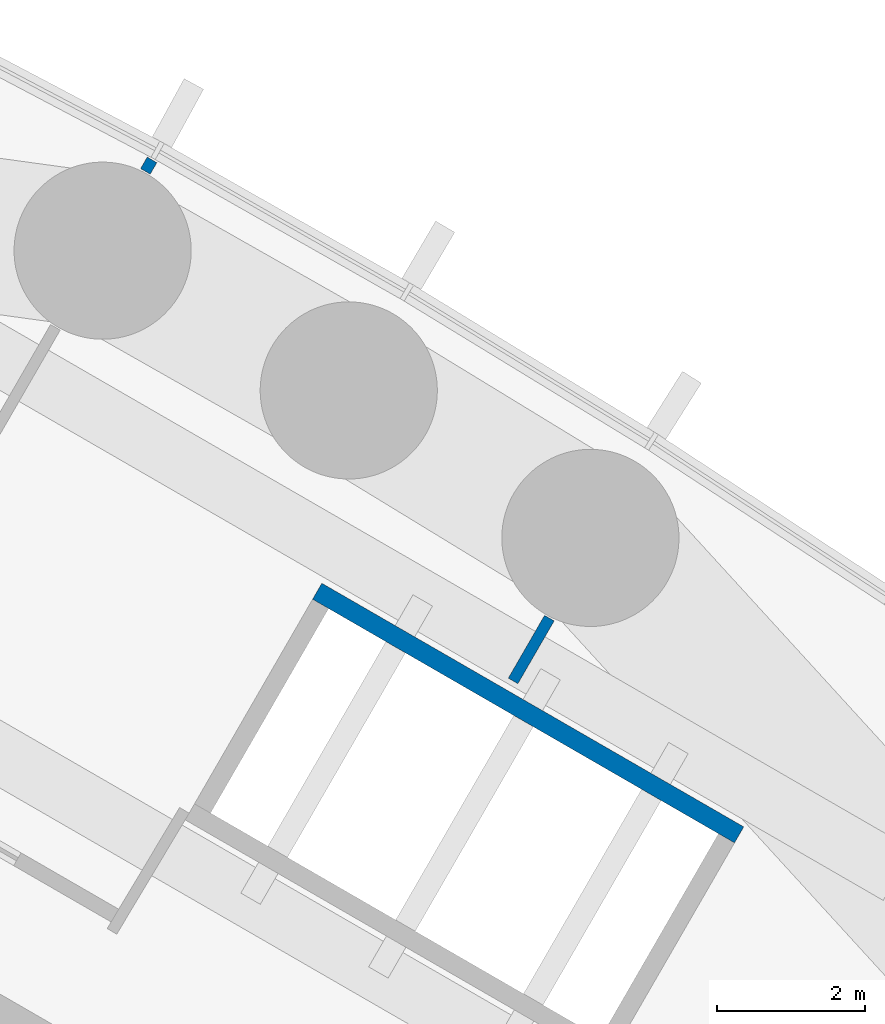
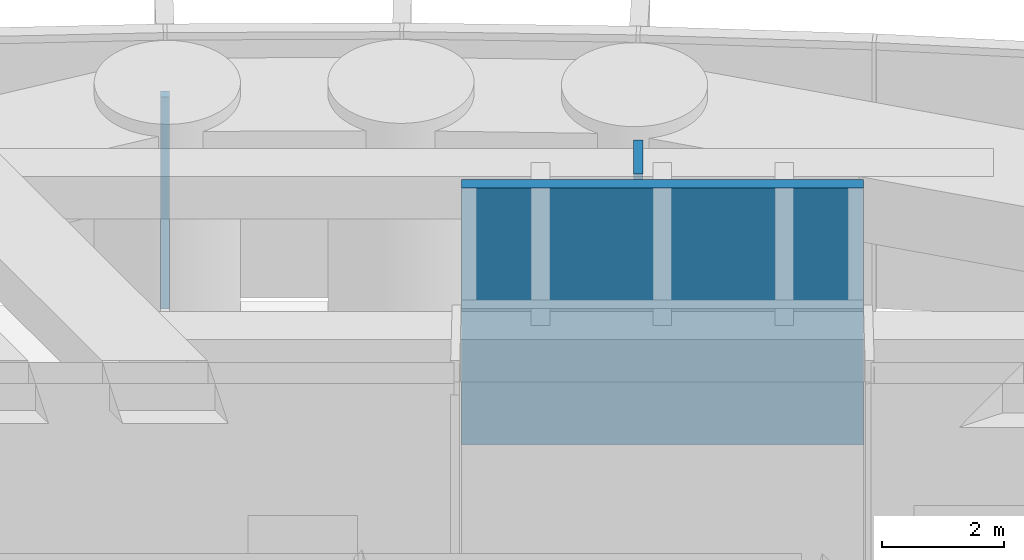
# One storey, part 19 of 21: 3 walls.
"""IFC4 building model written with IfcOpenShell, lengths in metres."""

from ifc_helpers import new_model, si_unit, direction, frame, frame_2d, origin, place, context, subcontext, project, spatial, rectangle, extrude, material, layer, layer_set, type_object, element, save


model = new_model("IFC4")

# Units and contexts
model_context = context("Model", 3, precision=1e-05, world=origin(), true_north=direction((0.0, 1.0)))
body_context = subcontext(model_context, "Body", "Model", "MODEL_VIEW")
ifc_project = project(units=[si_unit("LENGTHUNIT", "METRE"), si_unit("AREAUNIT", "SQUARE_METRE"), si_unit("VOLUMEUNIT", "CUBIC_METRE"), si_unit("PLANEANGLEUNIT", "RADIAN"), si_unit("MASSUNIT", "GRAM", prefix="KILO")], contexts=[model_context])

# Site, building, storey
site_placement = place(None, origin())
site = spatial("IfcSite", under=ifc_project, at=site_placement, CompositionType="ELEMENT")
building_placement = place(site_placement, origin())
building = spatial("IfcBuilding", under=site, at=building_placement, Name="Lancet Gate Hotel", CompositionType="ELEMENT")
storey_placement = place(building_placement, frame((0.0, 0.0, 251.89990234375)))
storey = spatial("IfcBuildingStorey", under=building, at=storey_placement, Name="L67", CompositionType="ELEMENT", Elevation=251.89990234375)

# Walls
ifc_material_1 = material(Name="Gypsum board partition")
ifc_layer_1 = layer(ifc_material_1, 0.25)
ifc_layer_set_1 = layer_set([ifc_layer_1], Name="Lift shaft partition 250")
wall_type_1 = type_object("IfcWallType", Name="Lift shaft partition 250", PredefinedType="PARTITIONING", material=ifc_layer_set_1)
wall_1_placement = place(storey_placement, frame((49.406494140625, 9.61083984375, 0.0), z_axis=(0.0, 0.0, 1.0), x_axis=(0.86603344179, -0.499986077507, 0.0)))
element("IfcWall", 1, at=wall_1_placement, inside=storey, type_object=wall_type_1, Name="T2 lift shaft wall HL L67", PredefinedType="PARTITIONING", context=body_context, shape_type="SweptSolid", body=[
    extrude(rectangle(XDim=6.600341796875, YDim=0.25, at=frame_2d((3.30029296875, 0.0))), origin(), (0.0, 0.0, 1.0), 5.150146484375),
])
ifc_material_2 = material(Name="Gypsum board partition")
ifc_layer_2 = layer(ifc_material_2, 0.14990234375)
ifc_layer_set_2 = layer_set([ifc_layer_2], Name="Party wall 150")
wall_type_2 = type_object("IfcWallType", Name="Party wall 150", PredefinedType="PARTITIONING", material=ifc_layer_set_2)
wall_2_placement = place(storey_placement, frame((47.078857421875, 15.2998046875, 0.0), z_axis=(0.0, 0.0, 1.0), x_axis=(0.499212083968, 0.866479829667, 0.0)))
element("IfcWall", 2, at=wall_2_placement, inside=storey, type_object=wall_type_2, Name="T2 party wall 150 L67", PredefinedType="PARTITIONING", context=body_context, shape_type="SweptSolid", body=[
    extrude(rectangle(XDim=0.179443359375, YDim=0.14990234375, at=frame_2d((0.08984375, 0.0))), origin(), (0.0, 0.0, 1.0), 4.25),
])
wall_3_placement = place(storey_placement, frame((52.060302734375, 8.396240234375, 0.0), z_axis=(0.0, 0.0, 1.0), x_axis=(0.500095379624, 0.865970329329, 0.0)))
element("IfcWall", 3, at=wall_3_placement, inside=storey, type_object=wall_type_2, Name="T2 party wall 150 L67", PredefinedType="PARTITIONING", context=body_context, shape_type="SweptSolid", body=[
    extrude(rectangle(XDim=0.982177734375, YDim=0.14990234375, at=frame_2d((0.4912109375, 0.0))), origin(), (0.0, 0.0, 1.0), 5.150146484375),
])

save(model, "model.ifc")
